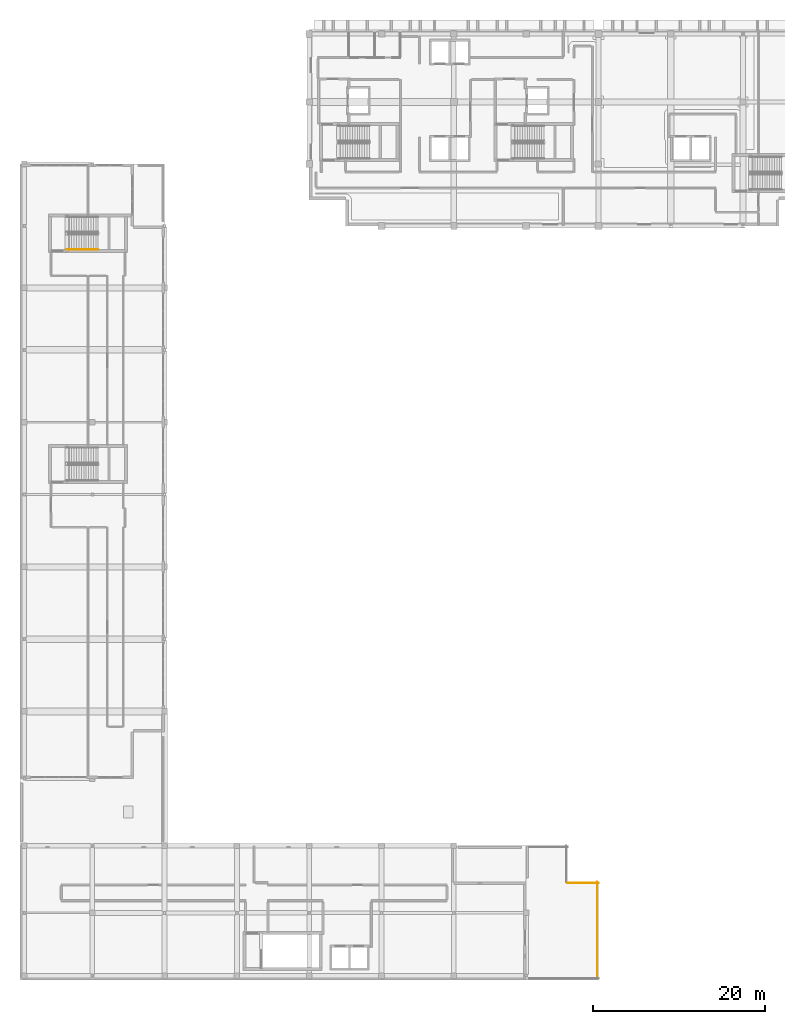
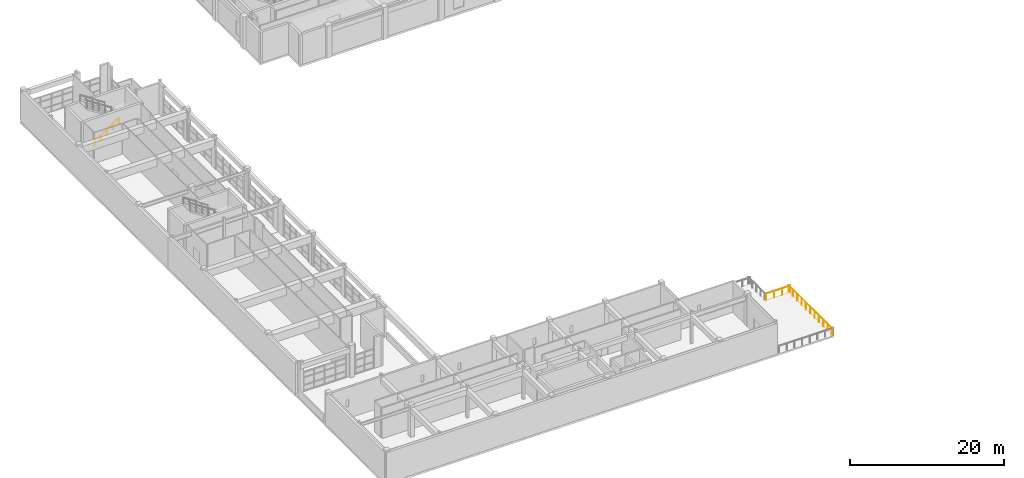
# One storey, part 74 of 78: 3 railings.
"""IFC4 building model written with IfcOpenShell, lengths in metres."""

from ifc_helpers import new_model, si_unit, direction, frame, origin, origin_2d, place, context, subcontext, project, spatial, circle, extrude, material, type_object, element, save


model = new_model("IFC4")

# Units and contexts
model_context = context("Model", 3, precision=1e-05, world=origin(), true_north=direction((0.0, 1.0)))
body_context = subcontext(model_context, "Body", "Model", "MODEL_VIEW")
ifc_project = project(units=[si_unit("LENGTHUNIT", "METRE"), si_unit("AREAUNIT", "SQUARE_METRE"), si_unit("VOLUMEUNIT", "CUBIC_METRE"), si_unit("PLANEANGLEUNIT", "RADIAN"), si_unit("MASSUNIT", "GRAM", prefix="KILO")], contexts=[model_context])

# Site, building, storey
site_placement = place(None, origin())
site = spatial("IfcSite", under=ifc_project, at=site_placement, CompositionType="ELEMENT")
building_placement = place(site_placement, origin())
building = spatial("IfcBuilding", under=site, at=building_placement, Name="Quendrovan Civic Courthouse", CompositionType="ELEMENT")
storey_placement = place(building_placement, frame((0.0, 0.0, 20.39990234375)))
storey = spatial("IfcBuildingStorey", under=building, at=storey_placement, Name="L05", CompositionType="ELEMENT", Elevation=20.39990234375)

# Railings
ifc_material = material(Name="Bronze anodised aluminium", Category="aluminium")
railing_type_1 = type_object("IfcRailingType", Name="RL-EXT-GUARD1100", PredefinedType="GUARDRAIL", material=ifc_material)
railing_1_placement = place(storey_placement, frame((63.60009765625, 11.260009765625, 0.0)))
element("IfcRailing", 1, at=railing_1_placement, inside=storey, type_object=railing_type_1, Name="L05 Terrace Edge Guardrail 009", PredefinedType="GUARDRAIL", context=body_context, shape_type="SweptSolid", body=[
    extrude(circle(Radius=0.02392578125, at=origin_2d()), frame((0.0, 0.0, 1.09619140625), z_axis=(1.0, 0.0, 0.0), x_axis=(0.0, 1.0, 0.0)), (0.0, 0.0, 1.0), 3.599853515625),
    extrude(circle(Radius=0.02099609375, at=origin_2d()), origin(), (0.0, 0.0, 1.0), 1.072021484375),
    extrude(circle(Radius=0.02099609375, at=origin_2d()), frame((1.199951171875, 0.0, 0.0)), (0.0, 0.0, 1.0), 1.072021484375),
    extrude(circle(Radius=0.02099609375, at=origin_2d()), frame((2.39990234375, 0.0, 0.0)), (0.0, 0.0, 1.0), 1.072021484375),
    extrude(circle(Radius=0.02099609375, at=origin_2d()), frame((3.599853515625, 0.0, 0.0)), (0.0, 0.0, 1.0), 1.072021484375),
])
railing_2_placement = place(storey_placement, frame((67.06005859375, 11.39990234375, 0.0)))
element("IfcRailing", 2, at=railing_2_placement, inside=storey, type_object=railing_type_1, Name="L05 Terrace Edge Guardrail 010", PredefinedType="GUARDRAIL", context=body_context, shape_type="SweptSolid", body=[
    extrude(circle(Radius=0.02392578125, at=origin_2d()), frame((0.0, 0.0, 1.09619140625), z_axis=(0.0, -1.0, 0.0), x_axis=(1.0, 0.0, 0.0)), (0.0, 0.0, 1.0), 11.239990234375),
    extrude(circle(Radius=0.02099609375, at=origin_2d()), origin(), (0.0, 0.0, 1.0), 1.072021484375),
    extrude(circle(Radius=0.02099609375, at=origin_2d()), frame((0.0, -1.1240234375, 0.0)), (0.0, 0.0, 1.0), 1.072021484375),
    extrude(circle(Radius=0.02099609375, at=origin_2d()), frame((0.0, -2.248046875, 0.0)), (0.0, 0.0, 1.0), 1.072021484375),
    extrude(circle(Radius=0.02099609375, at=origin_2d()), frame((0.0, -3.3720703125, 0.0)), (0.0, 0.0, 1.0), 1.072021484375),
    extrude(circle(Radius=0.02099609375, at=origin_2d()), frame((0.0, -4.49609375, 0.0)), (0.0, 0.0, 1.0), 1.072021484375),
    extrude(circle(Radius=0.02099609375, at=origin_2d()), frame((0.0, -5.6201171875, 0.0)), (0.0, 0.0, 1.0), 1.072021484375),
    extrude(circle(Radius=0.02099609375, at=origin_2d()), frame((0.0, -6.743896484375, 0.0)), (0.0, 0.0, 1.0), 1.072021484375),
    extrude(circle(Radius=0.02099609375, at=origin_2d()), frame((0.0, -7.867919921875, 0.0)), (0.0, 0.0, 1.0), 1.072021484375),
    extrude(circle(Radius=0.02099609375, at=origin_2d()), frame((0.0, -8.991943359375, 0.0)), (0.0, 0.0, 1.0), 1.072021484375),
    extrude(circle(Radius=0.02099609375, at=origin_2d()), frame((0.0, -10.115966796875, 0.0)), (0.0, 0.0, 1.0), 1.072021484375),
    extrude(circle(Radius=0.02099609375, at=origin_2d()), frame((0.0, -11.239990234375, 0.0)), (0.0, 0.0, 1.0), 1.072021484375),
])
railing_type_2 = type_object("IfcRailingType", Name="RL-STR-HAND900", PredefinedType="HANDRAIL", material=ifc_material)
railing_3_placement = place(storey_placement, frame((5.449951171875, 84.85009765625, 0.18212890625)))
element("IfcRailing", 3, at=railing_3_placement, inside=storey, type_object=railing_type_2, Name="L05 ST8 stair handrail 1", PredefinedType="HANDRAIL", context=body_context, shape_type="SweptSolid", body=[
    extrude(circle(Radius=0.02392578125, at=origin_2d()), frame((0.0, 0.0, 0.8759765625), z_axis=(0.83825089185, 0.0, 0.545284735081), x_axis=(0.0, 1.0, 0.0)), (0.0, 0.0, 1.0), 4.342529296875),
    extrude(circle(Radius=0.02099609375, at=origin_2d()), origin(), (0.0, 0.0, 1.0), 0.851806640625),
    extrude(circle(Radius=0.02099609375, at=origin_2d()), frame((0.91015625, 0.0, 0.592041015625)), (0.0, 0.0, 1.0), 0.851806640625),
    extrude(circle(Radius=0.02099609375, at=origin_2d()), frame((1.820068359375, 0.0, 1.18408203125)), (0.0, 0.0, 1.0), 0.851806640625),
    extrude(circle(Radius=0.02099609375, at=origin_2d()), frame((2.72998046875, 0.0, 1.77587890625)), (0.0, 0.0, 1.0), 0.851806640625),
    extrude(circle(Radius=0.02099609375, at=origin_2d()), frame((3.64013671875, 0.0, 2.367919921875)), (0.0, 0.0, 1.0), 0.851806640625),
])

save(model, "model.ifc")
